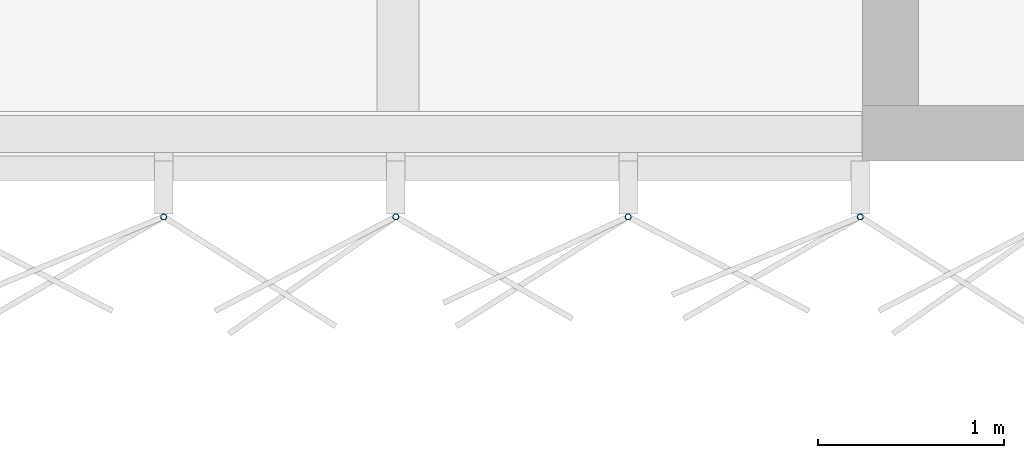
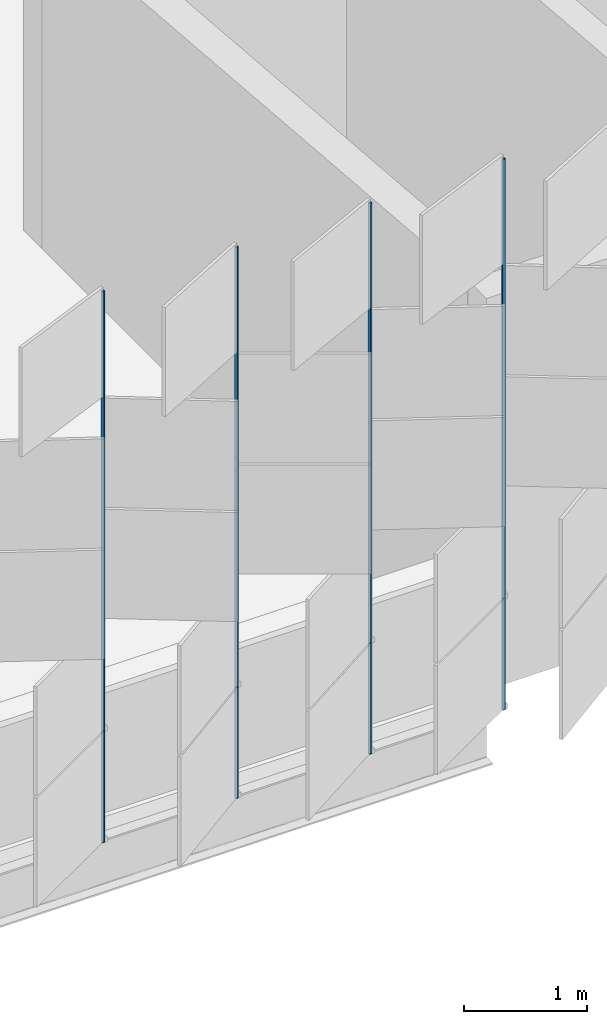
# One storey, part 155 of 483: 4 discrete accessories.
"""IFC4 building model written with IfcOpenShell, lengths in metres."""

from ifc_helpers import new_model, si_unit, direction, frame, origin, origin_2d, place, context, subcontext, project, spatial, hollow_circle, extrude, material, material_profile, profile_set, type_object, element, save


model = new_model("IFC4")

# Units and contexts
model_context = context("Model", 3, precision=1e-05, world=origin(), true_north=direction((0.0, 1.0)))
body_context = subcontext(model_context, "Body", "Model", "MODEL_VIEW")
ifc_project = project(units=[si_unit("LENGTHUNIT", "METRE"), si_unit("AREAUNIT", "SQUARE_METRE"), si_unit("VOLUMEUNIT", "CUBIC_METRE"), si_unit("PLANEANGLEUNIT", "RADIAN"), si_unit("MASSUNIT", "GRAM", prefix="KILO")], contexts=[model_context])

# Site, building, storey
site_placement = place(None, origin())
site = spatial("IfcSite", under=ifc_project, at=site_placement, CompositionType="ELEMENT")
building_placement = place(site_placement, origin())
building = spatial("IfcBuilding", under=site, at=building_placement, Name="Parallax Yard Mobility Hub", CompositionType="ELEMENT")
storey_placement = place(building_placement, frame((0.0, 0.0, 13.199951171875)))
storey = spatial("IfcBuildingStorey", under=building, at=storey_placement, Name="L04", CompositionType="ELEMENT", Elevation=13.199951171875)

# Discrete accessories
ifc_material = material(Name="Steel ASTM A500 Gr C, hot-dip galvanised", Category="steel")
ifc_material_profile = material_profile(ifc_material, hollow_circle(Radius=0.016845703125, WallThickness=0.003173828125, at=origin_2d()), Name="CHS 33.7x3.2")
ifc_profile_set = profile_set([ifc_material_profile], Name="Steel ASTM A500 Gr C, hot-dip galvanised")
discrete_accessory_type = type_object("IfcDiscreteAccessoryType", Name="Hinge post CHS 33.7x3.2", PredefinedType="BRACKET", material=ifc_profile_set)
for number, where, z_axis, x_axis, name in (
    (1, (123.7392578125, 112.199951171875, 0.0), (0.0, 0.0, 1.0), (1.0, 0.0, 0.0), "Hinge post bay 12.4 level L04"),
    (2, (124.988525390625, 112.199951171875, 0.0), (0.0, 0.0, 1.0), (1.0, 0.0, 0.0), "Hinge post bay 12.5 level L04"),
    (3, (126.23779296875, 112.199951171875, 0.0), (0.0, 0.0, 1.0), (1.0, 0.0, 0.0), "Hinge post bay 12.6 level L04"),
    (4, (127.487060546875, 112.199951171875, 0.0), (0.0, 0.0, 1.0), (1.0, 0.0, 0.0), "Hinge post bay 13.1 level L04"),
):
    element("IfcDiscreteAccessory", number, at=place(storey_placement, frame(where, z_axis=z_axis, x_axis=x_axis)), inside=storey, type_object=discrete_accessory_type, Name=name, PredefinedType="BRACKET", context=body_context, shape_type="SweptSolid", body=[
        extrude(hollow_circle(Radius=0.016845703125, WallThickness=0.003173828125, at=origin_2d()), origin(), (0.0, 0.0, 1.0), 5.449951171875),
    ])

save(model, "model.ifc")
